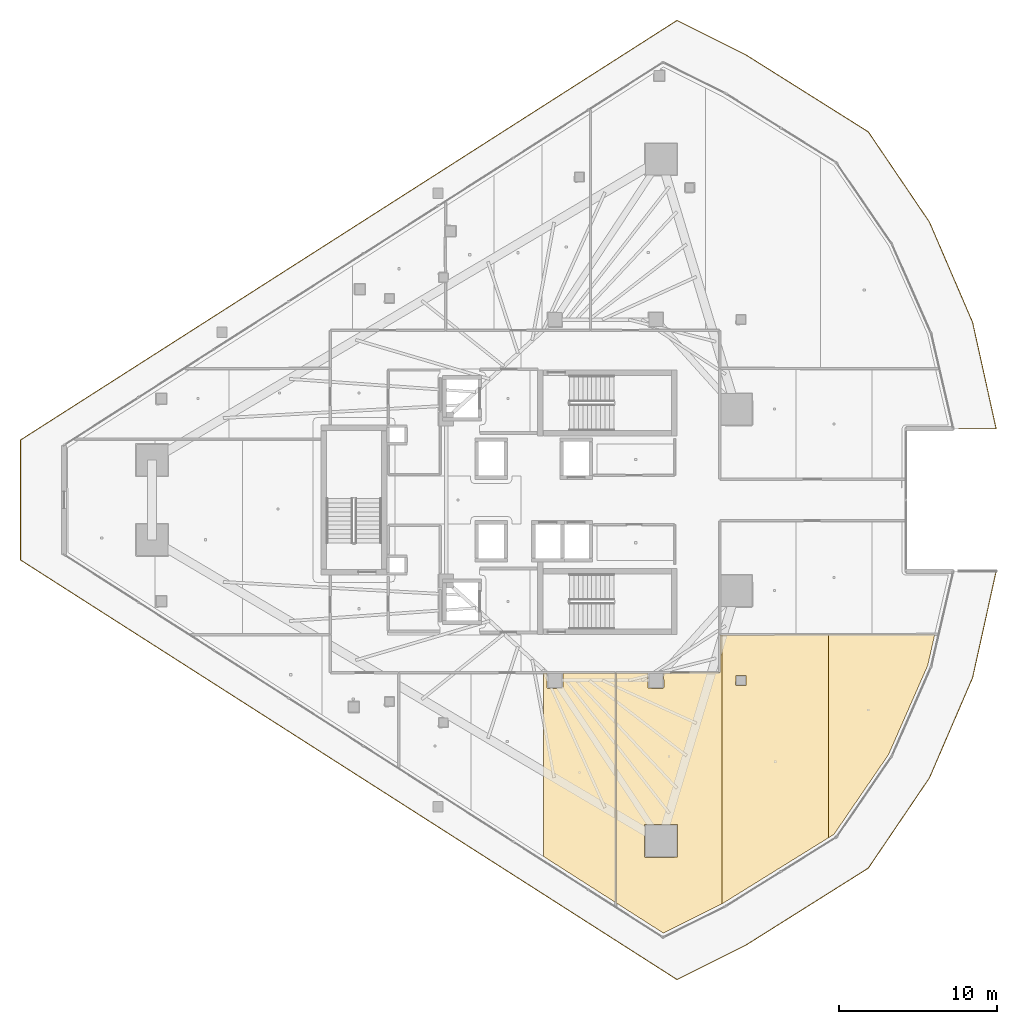
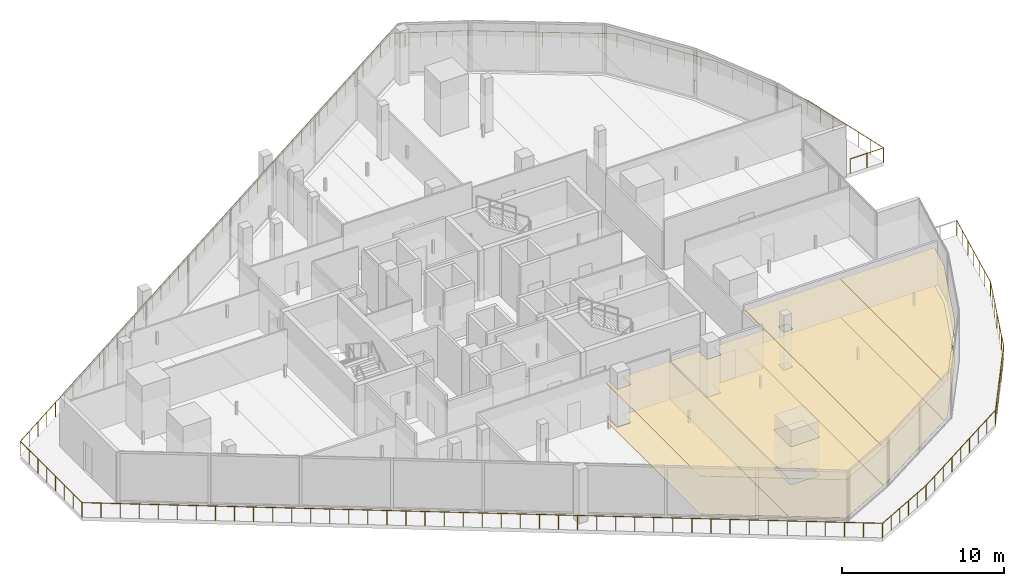
# One storey, part 33 of 36: 8 coverings, 1 railing.
"""IFC4 building model written with IfcOpenShell, lengths in metres."""

from ifc_helpers import new_model, si_unit, direction, frame, origin, origin_2d, place, context, subcontext, project, spatial, polyline, circle, outline, extrude, material, layer, layer_set, type_object, element, save


model = new_model("IFC4")

# Units and contexts
model_context = context("Model", 3, precision=1e-05, world=origin(), true_north=direction((0.0, 1.0)))
body_context = subcontext(model_context, "Body", "Model", "MODEL_VIEW")
ifc_project = project(units=[si_unit("LENGTHUNIT", "METRE"), si_unit("AREAUNIT", "SQUARE_METRE"), si_unit("VOLUMEUNIT", "CUBIC_METRE"), si_unit("PLANEANGLEUNIT", "RADIAN"), si_unit("MASSUNIT", "GRAM", prefix="KILO")], contexts=[model_context])

# Site, building, storey
site_placement = place(None, origin())
site = spatial("IfcSite", under=ifc_project, at=site_placement, CompositionType="ELEMENT")
building_placement = place(site_placement, origin())
building = spatial("IfcBuilding", under=site, at=building_placement, Name="Qorvath Tower", CompositionType="ELEMENT")
storey_placement = place(building_placement, frame((0.0, 0.0, 205.050048828125)))
storey = spatial("IfcBuildingStorey", under=building, at=storey_placement, Name="L47", CompositionType="ELEMENT", Elevation=205.050048828125)

# Coverings
ifc_material_1 = material(Name="Acoustic mineral fibre ceiling tile", Category="gypsum")
ifc_layer_1 = layer(ifc_material_1, 0.030029296875)
ifc_layer_set_1 = layer_set([ifc_layer_1], Name="COV-CEIL")
covering_type_1 = type_object("IfcCoveringType", Name="COV-CEIL", PredefinedType="CEILING", material=ifc_layer_set_1)
covering_1_placement = place(storey_placement, frame((0.0, 0.0, 2.849853515625)))
element("IfcCovering", 1, at=covering_1_placement, inside=storey, type_object=covering_type_1, Name="L47 Suspended Acoustic Ceiling 022", PredefinedType="CEILING", context=body_context, shape_type="SweptSolid", body=[
    extrude(outline(polyline([(-24.340087890625, -10.962890625), (-24.340087890625, -22.61279296875), (-19.75732421875, -25.5419921875), (-19.75732421875, -10.962890625), (-23.105224609375, -10.962890625), (-23.107666015625, -11.9423828125), (-24.050048828125, -11.9599609375), (-24.110107421875, -11.89990234375), (-24.0947265625, -10.962890625), (-24.340087890625, -10.962890625)])), origin(), (0.0, 0.0, 1.0), 0.030029296875),
])
covering_2_placement = place(storey_placement, frame((0.0, 0.0, 2.849853515625)))
element("IfcCovering", 2, at=covering_2_placement, inside=storey, type_object=covering_type_1, Name="L47 Suspended Acoustic Ceiling 023", PredefinedType="CEILING", context=body_context, shape_type="SweptSolid", body=[
    extrude(outline(polyline([(-17.694580078125, -10.962890625), (-19.7392578125, -10.962890625), (-19.7392578125, -25.553466796875), (-16.7275390625, -27.478271484375), (-12.99365234375, -25.611328125), (-12.99365234375, -8.554931640625), (-13.136962890625, -8.554931640625), (-13.138427734375, -10.96142578125), (-16.705322265625, -10.962890625), (-16.68994140625, -11.89990234375), (-16.75, -11.9599609375), (-17.6923828125, -11.9423828125), (-17.694580078125, -10.962890625)]), holes=[polyline([(-17.931640625, -22.627197265625), (-17.9140625, -20.584716796875), (-15.829345703125, -20.584716796875), (-15.829345703125, -22.66943359375), (-17.87158203125, -22.68701171875), (-17.931640625, -22.627197265625)])]), origin(), (0.0, 0.0, 1.0), 0.030029296875),
])
covering_3_placement = place(storey_placement, frame((0.0, 0.0, 2.849853515625)))
element("IfcCovering", 3, at=covering_3_placement, inside=storey, type_object=covering_type_1, Name="L47 Suspended Acoustic Ceiling 024", PredefinedType="CEILING", context=body_context, shape_type="SweptSolid", body=[
    extrude(outline(polyline([(-12.99365234375, -8.554931640625), (-12.99365234375, -25.611328125), (-12.900390625, -25.564697265625), (-6.247802734375, -21.436767578125), (-6.247802734375, -8.54736328125), (-12.99365234375, -8.554931640625)]), holes=[polyline([(-12.135009765625, -11.72509765625), (-12.117431640625, -11.132568359375), (-11.482666015625, -11.132568359375), (-11.482666015625, -11.767333984375), (-12.074951171875, -11.784912109375), (-12.135009765625, -11.72509765625)])]), origin(), (0.0, 0.0, 1.0), 0.030029296875),
])
covering_4_placement = place(storey_placement, frame((0.0, 0.0, 2.849853515625)))
element("IfcCovering", 4, at=covering_4_placement, inside=storey, type_object=covering_type_1, Name="L47 Suspended Acoustic Ceiling 025", PredefinedType="CEILING", context=body_context, shape_type="SweptSolid", body=[
    extrude(outline(polyline([(-6.247802734375, -8.54736328125), (-6.247802734375, -21.436767578125), (-5.896240234375, -21.218505859375), (-2.42919921875, -16.149169921875), (0.0537109375, -10.499267578125), (0.497802734375, -8.539794921875), (-6.247802734375, -8.54736328125)])), origin(), (0.0, 0.0, 1.0), 0.030029296875),
])
ifc_material_2 = material(Name="Low-VOC modular carpet tile", Category="textile")
ifc_layer_2 = layer(ifc_material_2, 0.014892578125)
ifc_layer_set_2 = layer_set([ifc_layer_2], Name="COV-FLOOR-CPT")
covering_type_2 = type_object("IfcCoveringType", Name="COV-FLOOR-CPT", PredefinedType="FLOORING", material=ifc_layer_set_2)
covering_5_placement = place(storey_placement, origin())
element("IfcCovering", 5, at=covering_5_placement, inside=storey, type_object=covering_type_2, Name="L47 Floor Finish 022", PredefinedType="FLOORING", context=body_context, shape_type="SweptSolid", body=[
    extrude(outline(polyline([(-24.340087890625, -10.962890625), (-24.340087890625, -22.61279296875), (-19.75732421875, -25.5419921875), (-19.75732421875, -10.962890625), (-23.105224609375, -10.962890625), (-23.107666015625, -11.9423828125), (-24.050048828125, -11.9599609375), (-24.110107421875, -11.89990234375), (-24.0947265625, -10.962890625), (-24.340087890625, -10.962890625)])), origin(), (0.0, 0.0, 1.0), 0.014892578125),
])
covering_6_placement = place(storey_placement, origin())
element("IfcCovering", 6, at=covering_6_placement, inside=storey, type_object=covering_type_2, Name="L47 Floor Finish 023", PredefinedType="FLOORING", context=body_context, shape_type="SweptSolid", body=[
    extrude(outline(polyline([(-17.694580078125, -10.962890625), (-19.7392578125, -10.962890625), (-19.7392578125, -25.553466796875), (-16.7275390625, -27.478271484375), (-12.99365234375, -25.611328125), (-12.99365234375, -8.554931640625), (-13.136962890625, -8.554931640625), (-13.138427734375, -10.96142578125), (-16.705322265625, -10.962890625), (-16.68994140625, -11.89990234375), (-16.75, -11.9599609375), (-17.6923828125, -11.9423828125), (-17.694580078125, -10.962890625)]), holes=[polyline([(-17.931640625, -22.627197265625), (-17.9140625, -20.584716796875), (-15.829345703125, -20.584716796875), (-15.829345703125, -22.66943359375), (-17.87158203125, -22.68701171875), (-17.931640625, -22.627197265625)])]), origin(), (0.0, 0.0, 1.0), 0.014892578125),
])
covering_7_placement = place(storey_placement, origin())
element("IfcCovering", 7, at=covering_7_placement, inside=storey, type_object=covering_type_2, Name="L47 Floor Finish 024", PredefinedType="FLOORING", context=body_context, shape_type="SweptSolid", body=[
    extrude(outline(polyline([(-12.99365234375, -8.554931640625), (-12.99365234375, -25.611328125), (-12.900390625, -25.564697265625), (-6.247802734375, -21.436767578125), (-6.247802734375, -8.54736328125), (-12.99365234375, -8.554931640625)]), holes=[polyline([(-12.135009765625, -11.72509765625), (-12.117431640625, -11.132568359375), (-11.482666015625, -11.132568359375), (-11.482666015625, -11.767333984375), (-12.074951171875, -11.784912109375), (-12.135009765625, -11.72509765625)])]), origin(), (0.0, 0.0, 1.0), 0.014892578125),
])
covering_8_placement = place(storey_placement, origin())
element("IfcCovering", 8, at=covering_8_placement, inside=storey, type_object=covering_type_2, Name="L47 Floor Finish 025", PredefinedType="FLOORING", context=body_context, shape_type="SweptSolid", body=[
    extrude(outline(polyline([(-6.247802734375, -8.54736328125), (-6.247802734375, -21.436767578125), (-5.896240234375, -21.218505859375), (-2.42919921875, -16.149169921875), (0.0537109375, -10.499267578125), (0.497802734375, -8.539794921875), (-6.247802734375, -8.54736328125)])), origin(), (0.0, 0.0, 1.0), 0.014892578125),
])

# Railing
ifc_material_3 = material(Name="Laminated safety glass and stainless steel AISI 316", Category="steel")
railing_type = type_object("IfcRailingType", Name="RL-EXT-GRD", PredefinedType="GUARDRAIL", material=ifc_material_3)
railing_placement = place(storey_placement, frame((4.400390625, -4.519775390625, 0.0)))
element("IfcRailing", 9, at=railing_placement, inside=storey, type_object=railing_type, Name="Loggia Perimeter Guardrail L47-1.1", PredefinedType="GUARDRAIL", context=body_context, shape_type="SweptSolid", body=[
    extrude(circle(Radius=0.02392578125, at=origin_2d()), frame((0.0, 0.0, 1.09619140625), z_axis=(-0.216086299344, -0.976374268012, 0.0), x_axis=(0.976374268012, -0.216086299344, 0.0)), (0.0, 0.0, 1.0), 6.92138671875),
    extrude(circle(Radius=0.02392578125, at=origin_2d()), frame((-1.49560546875, -6.7578125, 1.09619140625), z_axis=(-0.395493893873, -0.918468605838, 0.0), x_axis=(0.918468605838, -0.395493893873, 0.0)), (0.0, 0.0, 1.0), 6.921142578125),
    extrude(circle(Radius=0.02392578125, at=origin_2d()), frame((-4.23291015625, -13.11474609375, 1.09619140625), z_axis=(-0.560814607135, -0.827941408811, 0.0), x_axis=(0.827941408811, -0.560814607135, 0.0)), (0.0, 0.0, 1.0), 6.92138671875),
    extrude(circle(Radius=0.02392578125, at=origin_2d()), frame((-8.114501953125, -18.84521484375, 1.09619140625), z_axis=(-0.846504714784, -0.53238122417, 0.0), x_axis=(0.53238122417, -0.846504714784, 0.0)), (0.0, 0.0, 1.0), 9.203857421875),
    extrude(circle(Radius=0.02392578125, at=origin_2d()), frame((-15.905517578125, -23.7451171875, 1.09619140625), z_axis=(-0.89441714735, -0.447233682236, 0.0), x_axis=(0.447233682236, -0.89441714735, 0.0)), (0.0, 0.0, 1.0), 4.86181640625),
    extrude(circle(Radius=0.02392578125, at=origin_2d()), frame((-20.25390625, -25.91943359375, 1.09619140625), z_axis=(-0.84260492013, 0.538532216839, 0.0), x_axis=(-0.538532216839, -0.84260492013, 0.0)), (0.0, 0.0, 1.0), 49.457275390625),
    extrude(circle(Radius=0.02392578125, at=origin_2d()), frame((-61.9267578125, 0.71484375, 1.09619140625), z_axis=(0.0, 1.0, 0.0), x_axis=(-1.0, 0.0, 0.0)), (0.0, 0.0, 1.0), 7.60986328125),
    extrude(circle(Radius=0.02392578125, at=origin_2d()), frame((-61.9267578125, 8.32470703125, 1.09619140625), z_axis=(0.84260492013, 0.538532216839, 0.0), x_axis=(-0.538532216839, 0.84260492013, 0.0)), (0.0, 0.0, 1.0), 49.457275390625),
    extrude(circle(Radius=0.02392578125, at=origin_2d()), frame((-20.25390625, 34.958984375, 1.09619140625), z_axis=(0.89441714735, -0.447233682236, 0.0), x_axis=(0.447233682236, 0.89441714735, 0.0)), (0.0, 0.0, 1.0), 4.86181640625),
    extrude(circle(Radius=0.02392578125, at=origin_2d()), frame((-15.905517578125, 32.78466796875, 1.09619140625), z_axis=(0.846504714784, -0.53238122417, 0.0), x_axis=(0.53238122417, 0.846504714784, 0.0)), (0.0, 0.0, 1.0), 9.203857421875),
    extrude(circle(Radius=0.02392578125, at=origin_2d()), frame((-8.114501953125, 27.884765625, 1.09619140625), z_axis=(0.560814607135, -0.827941408811, 0.0), x_axis=(0.827941408811, 0.560814607135, 0.0)), (0.0, 0.0, 1.0), 6.92138671875),
    extrude(circle(Radius=0.02392578125, at=origin_2d()), frame((-4.23291015625, 22.154296875, 1.09619140625), z_axis=(0.395493893873, -0.918468605838, 0.0), x_axis=(0.918468605838, 0.395493893873, 0.0)), (0.0, 0.0, 1.0), 6.921142578125),
    extrude(circle(Radius=0.02392578125, at=origin_2d()), frame((-1.49560546875, 15.79736328125, 1.09619140625), z_axis=(0.216086299344, -0.976374268012, 0.0), x_axis=(0.976374268012, 0.216086299344, 0.0)), (0.0, 0.0, 1.0), 6.92138671875),
    extrude(circle(Radius=0.02392578125, at=origin_2d()), frame((0.0, 9.03955078125, 1.09619140625), z_axis=(-1.0, 0.0, 0.0), x_axis=(0.0, -1.0, 0.0)), (0.0, 0.0, 1.0), 2.36669921875),
    extrude(circle(Radius=0.02099609375, at=origin_2d()), origin(), (0.0, 0.0, 1.0), 1.072021484375),
    extrude(circle(Radius=0.02099609375, at=origin_2d()), frame((-0.249267578125, -1.126220703125, 0.0)), (0.0, 0.0, 1.0), 1.072021484375),
    extrude(circle(Radius=0.02099609375, at=origin_2d()), frame((-0.49853515625, -2.252685546875, 0.0)), (0.0, 0.0, 1.0), 1.072021484375),
    extrude(circle(Radius=0.02099609375, at=origin_2d()), frame((-0.747802734375, -3.37890625, 0.0)), (0.0, 0.0, 1.0), 1.072021484375),
    extrude(circle(Radius=0.02099609375, at=origin_2d()), frame((-0.9970703125, -4.505126953125, 0.0)), (0.0, 0.0, 1.0), 1.072021484375),
    extrude(circle(Radius=0.02099609375, at=origin_2d()), frame((-1.246337890625, -5.631591796875, 0.0)), (0.0, 0.0, 1.0), 1.072021484375),
    extrude(circle(Radius=0.02099609375, at=origin_2d()), frame((-1.49560546875, -6.7578125, 0.0)), (0.0, 0.0, 1.0), 1.072021484375),
    extrude(circle(Radius=0.02099609375, at=origin_2d()), frame((-1.951904296875, -7.8173828125, 0.0)), (0.0, 0.0, 1.0), 1.072021484375),
    extrude(circle(Radius=0.02099609375, at=origin_2d()), frame((-2.407958984375, -8.876708984375, 0.0)), (0.0, 0.0, 1.0), 1.072021484375),
    extrude(circle(Radius=0.02099609375, at=origin_2d()), frame((-2.8642578125, -9.936279296875, 0.0)), (0.0, 0.0, 1.0), 1.072021484375),
    extrude(circle(Radius=0.02099609375, at=origin_2d()), frame((-3.320556640625, -10.995849609375, 0.0)), (0.0, 0.0, 1.0), 1.072021484375),
    extrude(circle(Radius=0.02099609375, at=origin_2d()), frame((-3.776611328125, -12.05517578125, 0.0)), (0.0, 0.0, 1.0), 1.072021484375),
    extrude(circle(Radius=0.02099609375, at=origin_2d()), frame((-4.23291015625, -13.11474609375, 0.0)), (0.0, 0.0, 1.0), 1.072021484375),
    extrude(circle(Radius=0.02099609375, at=origin_2d()), frame((-4.8798828125, -14.06982421875, 0.0)), (0.0, 0.0, 1.0), 1.072021484375),
    extrude(circle(Radius=0.02099609375, at=origin_2d()), frame((-5.52685546875, -15.02490234375, 0.0)), (0.0, 0.0, 1.0), 1.072021484375),
    extrude(circle(Radius=0.02099609375, at=origin_2d()), frame((-6.173828125, -15.97998046875, 0.0)), (0.0, 0.0, 1.0), 1.072021484375),
    extrude(circle(Radius=0.02099609375, at=origin_2d()), frame((-6.820556640625, -16.93505859375, 0.0)), (0.0, 0.0, 1.0), 1.072021484375),
    extrude(circle(Radius=0.02099609375, at=origin_2d()), frame((-7.467529296875, -17.89013671875, 0.0)), (0.0, 0.0, 1.0), 1.072021484375),
    extrude(circle(Radius=0.02099609375, at=origin_2d()), frame((-8.114501953125, -18.84521484375, 0.0)), (0.0, 0.0, 1.0), 1.072021484375),
    extrude(circle(Radius=0.02099609375, at=origin_2d()), frame((-9.08837890625, -19.457763671875, 0.0)), (0.0, 0.0, 1.0), 1.072021484375),
    extrude(circle(Radius=0.02099609375, at=origin_2d()), frame((-10.062255859375, -20.0703125, 0.0)), (0.0, 0.0, 1.0), 1.072021484375),
    extrude(circle(Radius=0.02099609375, at=origin_2d()), frame((-11.0361328125, -20.6826171875, 0.0)), (0.0, 0.0, 1.0), 1.072021484375),
    extrude(circle(Radius=0.02099609375, at=origin_2d()), frame((-12.010009765625, -21.295166015625, 0.0)), (0.0, 0.0, 1.0), 1.072021484375),
    extrude(circle(Radius=0.02099609375, at=origin_2d()), frame((-12.98388671875, -21.90771484375, 0.0)), (0.0, 0.0, 1.0), 1.072021484375),
    extrude(circle(Radius=0.02099609375, at=origin_2d()), frame((-13.957763671875, -22.52001953125, 0.0)), (0.0, 0.0, 1.0), 1.072021484375),
    extrude(circle(Radius=0.02099609375, at=origin_2d()), frame((-14.931640625, -23.132568359375, 0.0)), (0.0, 0.0, 1.0), 1.072021484375),
    extrude(circle(Radius=0.02099609375, at=origin_2d()), frame((-15.905517578125, -23.7451171875, 0.0)), (0.0, 0.0, 1.0), 1.072021484375),
    extrude(circle(Radius=0.02099609375, at=origin_2d()), frame((-16.775146484375, -24.179931640625, 0.0)), (0.0, 0.0, 1.0), 1.072021484375),
    extrude(circle(Radius=0.02099609375, at=origin_2d()), frame((-17.644775390625, -24.61474609375, 0.0)), (0.0, 0.0, 1.0), 1.072021484375),
    extrude(circle(Radius=0.02099609375, at=origin_2d()), frame((-18.5146484375, -25.0498046875, 0.0)), (0.0, 0.0, 1.0), 1.072021484375),
    extrude(circle(Radius=0.02099609375, at=origin_2d()), frame((-19.38427734375, -25.484619140625, 0.0)), (0.0, 0.0, 1.0), 1.072021484375),
    extrude(circle(Radius=0.02099609375, at=origin_2d()), frame((-20.25390625, -25.91943359375, 0.0)), (0.0, 0.0, 1.0), 1.072021484375),
    extrude(circle(Radius=0.02099609375, at=origin_2d()), frame((-21.24609375, -25.285400390625, 0.0)), (0.0, 0.0, 1.0), 1.072021484375),
    extrude(circle(Radius=0.02099609375, at=origin_2d()), frame((-22.23828125, -24.651123046875, 0.0)), (0.0, 0.0, 1.0), 1.072021484375),
    extrude(circle(Radius=0.02099609375, at=origin_2d()), frame((-23.23046875, -24.01708984375, 0.0)), (0.0, 0.0, 1.0), 1.072021484375),
    extrude(circle(Radius=0.02099609375, at=origin_2d()), frame((-24.22265625, -23.3828125, 0.0)), (0.0, 0.0, 1.0), 1.072021484375),
    extrude(circle(Radius=0.02099609375, at=origin_2d()), frame((-25.21484375, -22.748779296875, 0.0)), (0.0, 0.0, 1.0), 1.072021484375),
    extrude(circle(Radius=0.02099609375, at=origin_2d()), frame((-26.207275390625, -22.114501953125, 0.0)), (0.0, 0.0, 1.0), 1.072021484375),
    extrude(circle(Radius=0.02099609375, at=origin_2d()), frame((-27.199462890625, -21.48046875, 0.0)), (0.0, 0.0, 1.0), 1.072021484375),
    extrude(circle(Radius=0.02099609375, at=origin_2d()), frame((-28.191650390625, -20.84619140625, 0.0)), (0.0, 0.0, 1.0), 1.072021484375),
    extrude(circle(Radius=0.02099609375, at=origin_2d()), frame((-29.183837890625, -20.212158203125, 0.0)), (0.0, 0.0, 1.0), 1.072021484375),
    extrude(circle(Radius=0.02099609375, at=origin_2d()), frame((-30.176025390625, -19.577880859375, 0.0)), (0.0, 0.0, 1.0), 1.072021484375),
    extrude(circle(Radius=0.02099609375, at=origin_2d()), frame((-31.168212890625, -18.94384765625, 0.0)), (0.0, 0.0, 1.0), 1.072021484375),
    extrude(circle(Radius=0.02099609375, at=origin_2d()), frame((-32.160400390625, -18.3095703125, 0.0)), (0.0, 0.0, 1.0), 1.072021484375),
    extrude(circle(Radius=0.02099609375, at=origin_2d()), frame((-33.152587890625, -17.675537109375, 0.0)), (0.0, 0.0, 1.0), 1.072021484375),
    extrude(circle(Radius=0.02099609375, at=origin_2d()), frame((-34.144775390625, -17.041259765625, 0.0)), (0.0, 0.0, 1.0), 1.072021484375),
    extrude(circle(Radius=0.02099609375, at=origin_2d()), frame((-35.136962890625, -16.4072265625, 0.0)), (0.0, 0.0, 1.0), 1.072021484375),
    extrude(circle(Radius=0.02099609375, at=origin_2d()), frame((-36.12939453125, -15.77294921875, 0.0)), (0.0, 0.0, 1.0), 1.072021484375),
    extrude(circle(Radius=0.02099609375, at=origin_2d()), frame((-37.12158203125, -15.138916015625, 0.0)), (0.0, 0.0, 1.0), 1.072021484375),
    extrude(circle(Radius=0.02099609375, at=origin_2d()), frame((-38.11376953125, -14.504638671875, 0.0)), (0.0, 0.0, 1.0), 1.072021484375),
    extrude(circle(Radius=0.02099609375, at=origin_2d()), frame((-39.10595703125, -13.87060546875, 0.0)), (0.0, 0.0, 1.0), 1.072021484375),
    extrude(circle(Radius=0.02099609375, at=origin_2d()), frame((-40.09814453125, -13.236328125, 0.0)), (0.0, 0.0, 1.0), 1.072021484375),
    extrude(circle(Radius=0.02099609375, at=origin_2d()), frame((-41.09033203125, -12.602294921875, 0.0)), (0.0, 0.0, 1.0), 1.072021484375),
    extrude(circle(Radius=0.02099609375, at=origin_2d()), frame((-42.08251953125, -11.96826171875, 0.0)), (0.0, 0.0, 1.0), 1.072021484375),
    extrude(circle(Radius=0.02099609375, at=origin_2d()), frame((-43.07470703125, -11.333984375, 0.0)), (0.0, 0.0, 1.0), 1.072021484375),
    extrude(circle(Radius=0.02099609375, at=origin_2d()), frame((-44.06689453125, -10.699951171875, 0.0)), (0.0, 0.0, 1.0), 1.072021484375),
    extrude(circle(Radius=0.02099609375, at=origin_2d()), frame((-45.05908203125, -10.065673828125, 0.0)), (0.0, 0.0, 1.0), 1.072021484375),
    extrude(circle(Radius=0.02099609375, at=origin_2d()), frame((-46.05126953125, -9.431640625, 0.0)), (0.0, 0.0, 1.0), 1.072021484375),
    extrude(circle(Radius=0.02099609375, at=origin_2d()), frame((-47.043701171875, -8.79736328125, 0.0)), (0.0, 0.0, 1.0), 1.072021484375),
    extrude(circle(Radius=0.02099609375, at=origin_2d()), frame((-48.035888671875, -8.163330078125, 0.0)), (0.0, 0.0, 1.0), 1.072021484375),
    extrude(circle(Radius=0.02099609375, at=origin_2d()), frame((-49.028076171875, -7.529052734375, 0.0)), (0.0, 0.0, 1.0), 1.072021484375),
    extrude(circle(Radius=0.02099609375, at=origin_2d()), frame((-50.020263671875, -6.89501953125, 0.0)), (0.0, 0.0, 1.0), 1.072021484375),
    extrude(circle(Radius=0.02099609375, at=origin_2d()), frame((-51.012451171875, -6.2607421875, 0.0)), (0.0, 0.0, 1.0), 1.072021484375),
    extrude(circle(Radius=0.02099609375, at=origin_2d()), frame((-52.004638671875, -5.626708984375, 0.0)), (0.0, 0.0, 1.0), 1.072021484375),
    extrude(circle(Radius=0.02099609375, at=origin_2d()), frame((-52.996826171875, -4.992431640625, 0.0)), (0.0, 0.0, 1.0), 1.072021484375),
    extrude(circle(Radius=0.02099609375, at=origin_2d()), frame((-53.989013671875, -4.3583984375, 0.0)), (0.0, 0.0, 1.0), 1.072021484375),
    extrude(circle(Radius=0.02099609375, at=origin_2d()), frame((-54.981201171875, -3.72412109375, 0.0)), (0.0, 0.0, 1.0), 1.072021484375),
    extrude(circle(Radius=0.02099609375, at=origin_2d()), frame((-55.973388671875, -3.090087890625, 0.0)), (0.0, 0.0, 1.0), 1.072021484375),
    extrude(circle(Radius=0.02099609375, at=origin_2d()), frame((-56.9658203125, -2.455810546875, 0.0)), (0.0, 0.0, 1.0), 1.072021484375),
    extrude(circle(Radius=0.02099609375, at=origin_2d()), frame((-57.9580078125, -1.82177734375, 0.0)), (0.0, 0.0, 1.0), 1.072021484375),
    extrude(circle(Radius=0.02099609375, at=origin_2d()), frame((-58.9501953125, -1.1875, 0.0)), (0.0, 0.0, 1.0), 1.072021484375),
    extrude(circle(Radius=0.02099609375, at=origin_2d()), frame((-59.9423828125, -0.553466796875, 0.0)), (0.0, 0.0, 1.0), 1.072021484375),
    extrude(circle(Radius=0.02099609375, at=origin_2d()), frame((-60.9345703125, 0.080810546875, 0.0)), (0.0, 0.0, 1.0), 1.072021484375),
    extrude(circle(Radius=0.02099609375, at=origin_2d()), frame((-61.9267578125, 0.71484375, 0.0)), (0.0, 0.0, 1.0), 1.072021484375),
    extrude(circle(Radius=0.02099609375, at=origin_2d()), frame((-61.9267578125, 1.802001953125, 0.0)), (0.0, 0.0, 1.0), 1.072021484375),
    extrude(circle(Radius=0.02099609375, at=origin_2d()), frame((-61.9267578125, 2.88916015625, 0.0)), (0.0, 0.0, 1.0), 1.072021484375),
    extrude(circle(Radius=0.02099609375, at=origin_2d()), frame((-61.9267578125, 3.976318359375, 0.0)), (0.0, 0.0, 1.0), 1.072021484375),
    extrude(circle(Radius=0.02099609375, at=origin_2d()), frame((-61.9267578125, 5.063232421875, 0.0)), (0.0, 0.0, 1.0), 1.072021484375),
    extrude(circle(Radius=0.02099609375, at=origin_2d()), frame((-61.9267578125, 6.150390625, 0.0)), (0.0, 0.0, 1.0), 1.072021484375),
    extrude(circle(Radius=0.02099609375, at=origin_2d()), frame((-61.9267578125, 7.237548828125, 0.0)), (0.0, 0.0, 1.0), 1.072021484375),
    extrude(circle(Radius=0.02099609375, at=origin_2d()), frame((-61.9267578125, 8.32470703125, 0.0)), (0.0, 0.0, 1.0), 1.072021484375),
    extrude(circle(Radius=0.02099609375, at=origin_2d()), frame((-60.9345703125, 8.958740234375, 0.0)), (0.0, 0.0, 1.0), 1.072021484375),
    extrude(circle(Radius=0.02099609375, at=origin_2d()), frame((-59.9423828125, 9.593017578125, 0.0)), (0.0, 0.0, 1.0), 1.072021484375),
    extrude(circle(Radius=0.02099609375, at=origin_2d()), frame((-58.9501953125, 10.22705078125, 0.0)), (0.0, 0.0, 1.0), 1.072021484375),
    extrude(circle(Radius=0.02099609375, at=origin_2d()), frame((-57.9580078125, 10.861328125, 0.0)), (0.0, 0.0, 1.0), 1.072021484375),
    extrude(circle(Radius=0.02099609375, at=origin_2d()), frame((-56.9658203125, 11.495361328125, 0.0)), (0.0, 0.0, 1.0), 1.072021484375),
    extrude(circle(Radius=0.02099609375, at=origin_2d()), frame((-55.973388671875, 12.129638671875, 0.0)), (0.0, 0.0, 1.0), 1.072021484375),
    extrude(circle(Radius=0.02099609375, at=origin_2d()), frame((-54.981201171875, 12.763671875, 0.0)), (0.0, 0.0, 1.0), 1.072021484375),
    extrude(circle(Radius=0.02099609375, at=origin_2d()), frame((-53.989013671875, 13.39794921875, 0.0)), (0.0, 0.0, 1.0), 1.072021484375),
    extrude(circle(Radius=0.02099609375, at=origin_2d()), frame((-52.996826171875, 14.031982421875, 0.0)), (0.0, 0.0, 1.0), 1.072021484375),
    extrude(circle(Radius=0.02099609375, at=origin_2d()), frame((-52.004638671875, 14.666259765625, 0.0)), (0.0, 0.0, 1.0), 1.072021484375),
    extrude(circle(Radius=0.02099609375, at=origin_2d()), frame((-51.012451171875, 15.30029296875, 0.0)), (0.0, 0.0, 1.0), 1.072021484375),
    extrude(circle(Radius=0.02099609375, at=origin_2d()), frame((-50.020263671875, 15.9345703125, 0.0)), (0.0, 0.0, 1.0), 1.072021484375),
    extrude(circle(Radius=0.02099609375, at=origin_2d()), frame((-49.028076171875, 16.568603515625, 0.0)), (0.0, 0.0, 1.0), 1.072021484375),
    extrude(circle(Radius=0.02099609375, at=origin_2d()), frame((-48.035888671875, 17.202880859375, 0.0)), (0.0, 0.0, 1.0), 1.072021484375),
    extrude(circle(Radius=0.02099609375, at=origin_2d()), frame((-47.043701171875, 17.8369140625, 0.0)), (0.0, 0.0, 1.0), 1.072021484375),
    extrude(circle(Radius=0.02099609375, at=origin_2d()), frame((-46.05126953125, 18.47119140625, 0.0)), (0.0, 0.0, 1.0), 1.072021484375),
    extrude(circle(Radius=0.02099609375, at=origin_2d()), frame((-45.05908203125, 19.105224609375, 0.0)), (0.0, 0.0, 1.0), 1.072021484375),
    extrude(circle(Radius=0.02099609375, at=origin_2d()), frame((-44.06689453125, 19.739501953125, 0.0)), (0.0, 0.0, 1.0), 1.072021484375),
    extrude(circle(Radius=0.02099609375, at=origin_2d()), frame((-43.07470703125, 20.37353515625, 0.0)), (0.0, 0.0, 1.0), 1.072021484375),
    extrude(circle(Radius=0.02099609375, at=origin_2d()), frame((-42.08251953125, 21.0078125, 0.0)), (0.0, 0.0, 1.0), 1.072021484375),
    extrude(circle(Radius=0.02099609375, at=origin_2d()), frame((-41.09033203125, 21.641845703125, 0.0)), (0.0, 0.0, 1.0), 1.072021484375),
    extrude(circle(Radius=0.02099609375, at=origin_2d()), frame((-40.09814453125, 22.27587890625, 0.0)), (0.0, 0.0, 1.0), 1.072021484375),
    extrude(circle(Radius=0.02099609375, at=origin_2d()), frame((-39.10595703125, 22.91015625, 0.0)), (0.0, 0.0, 1.0), 1.072021484375),
    extrude(circle(Radius=0.02099609375, at=origin_2d()), frame((-38.11376953125, 23.544189453125, 0.0)), (0.0, 0.0, 1.0), 1.072021484375),
    extrude(circle(Radius=0.02099609375, at=origin_2d()), frame((-37.12158203125, 24.178466796875, 0.0)), (0.0, 0.0, 1.0), 1.072021484375),
    extrude(circle(Radius=0.02099609375, at=origin_2d()), frame((-36.12939453125, 24.8125, 0.0)), (0.0, 0.0, 1.0), 1.072021484375),
    extrude(circle(Radius=0.02099609375, at=origin_2d()), frame((-35.136962890625, 25.44677734375, 0.0)), (0.0, 0.0, 1.0), 1.072021484375),
    extrude(circle(Radius=0.02099609375, at=origin_2d()), frame((-34.144775390625, 26.080810546875, 0.0)), (0.0, 0.0, 1.0), 1.072021484375),
    extrude(circle(Radius=0.02099609375, at=origin_2d()), frame((-33.152587890625, 26.715087890625, 0.0)), (0.0, 0.0, 1.0), 1.072021484375),
    extrude(circle(Radius=0.02099609375, at=origin_2d()), frame((-32.160400390625, 27.34912109375, 0.0)), (0.0, 0.0, 1.0), 1.072021484375),
    extrude(circle(Radius=0.02099609375, at=origin_2d()), frame((-31.168212890625, 27.9833984375, 0.0)), (0.0, 0.0, 1.0), 1.072021484375),
    extrude(circle(Radius=0.02099609375, at=origin_2d()), frame((-30.176025390625, 28.617431640625, 0.0)), (0.0, 0.0, 1.0), 1.072021484375),
    extrude(circle(Radius=0.02099609375, at=origin_2d()), frame((-29.183837890625, 29.251708984375, 0.0)), (0.0, 0.0, 1.0), 1.072021484375),
    extrude(circle(Radius=0.02099609375, at=origin_2d()), frame((-28.191650390625, 29.8857421875, 0.0)), (0.0, 0.0, 1.0), 1.072021484375),
    extrude(circle(Radius=0.02099609375, at=origin_2d()), frame((-27.199462890625, 30.52001953125, 0.0)), (0.0, 0.0, 1.0), 1.072021484375),
    extrude(circle(Radius=0.02099609375, at=origin_2d()), frame((-26.207275390625, 31.154052734375, 0.0)), (0.0, 0.0, 1.0), 1.072021484375),
    extrude(circle(Radius=0.02099609375, at=origin_2d()), frame((-25.21484375, 31.788330078125, 0.0)), (0.0, 0.0, 1.0), 1.072021484375),
    extrude(circle(Radius=0.02099609375, at=origin_2d()), frame((-24.22265625, 32.42236328125, 0.0)), (0.0, 0.0, 1.0), 1.072021484375),
    extrude(circle(Radius=0.02099609375, at=origin_2d()), frame((-23.23046875, 33.056640625, 0.0)), (0.0, 0.0, 1.0), 1.072021484375),
    extrude(circle(Radius=0.02099609375, at=origin_2d()), frame((-22.23828125, 33.690673828125, 0.0)), (0.0, 0.0, 1.0), 1.072021484375),
    extrude(circle(Radius=0.02099609375, at=origin_2d()), frame((-21.24609375, 34.324951171875, 0.0)), (0.0, 0.0, 1.0), 1.072021484375),
    extrude(circle(Radius=0.02099609375, at=origin_2d()), frame((-20.25390625, 34.958984375, 0.0)), (0.0, 0.0, 1.0), 1.072021484375),
    extrude(circle(Radius=0.02099609375, at=origin_2d()), frame((-19.38427734375, 34.524169921875, 0.0)), (0.0, 0.0, 1.0), 1.072021484375),
    extrude(circle(Radius=0.02099609375, at=origin_2d()), frame((-18.5146484375, 34.08935546875, 0.0)), (0.0, 0.0, 1.0), 1.072021484375),
    extrude(circle(Radius=0.02099609375, at=origin_2d()), frame((-17.644775390625, 33.654296875, 0.0)), (0.0, 0.0, 1.0), 1.072021484375),
    extrude(circle(Radius=0.02099609375, at=origin_2d()), frame((-16.775146484375, 33.219482421875, 0.0)), (0.0, 0.0, 1.0), 1.072021484375),
    extrude(circle(Radius=0.02099609375, at=origin_2d()), frame((-15.905517578125, 32.78466796875, 0.0)), (0.0, 0.0, 1.0), 1.072021484375),
    extrude(circle(Radius=0.02099609375, at=origin_2d()), frame((-14.931640625, 32.172119140625, 0.0)), (0.0, 0.0, 1.0), 1.072021484375),
    extrude(circle(Radius=0.02099609375, at=origin_2d()), frame((-13.957763671875, 31.5595703125, 0.0)), (0.0, 0.0, 1.0), 1.072021484375),
    extrude(circle(Radius=0.02099609375, at=origin_2d()), frame((-12.98388671875, 30.947265625, 0.0)), (0.0, 0.0, 1.0), 1.072021484375),
    extrude(circle(Radius=0.02099609375, at=origin_2d()), frame((-12.010009765625, 30.334716796875, 0.0)), (0.0, 0.0, 1.0), 1.072021484375),
    extrude(circle(Radius=0.02099609375, at=origin_2d()), frame((-11.0361328125, 29.72216796875, 0.0)), (0.0, 0.0, 1.0), 1.072021484375),
    extrude(circle(Radius=0.02099609375, at=origin_2d()), frame((-10.062255859375, 29.10986328125, 0.0)), (0.0, 0.0, 1.0), 1.072021484375),
    extrude(circle(Radius=0.02099609375, at=origin_2d()), frame((-9.08837890625, 28.497314453125, 0.0)), (0.0, 0.0, 1.0), 1.072021484375),
    extrude(circle(Radius=0.02099609375, at=origin_2d()), frame((-8.114501953125, 27.884765625, 0.0)), (0.0, 0.0, 1.0), 1.072021484375),
    extrude(circle(Radius=0.02099609375, at=origin_2d()), frame((-7.467529296875, 26.9296875, 0.0)), (0.0, 0.0, 1.0), 1.072021484375),
    extrude(circle(Radius=0.02099609375, at=origin_2d()), frame((-6.820556640625, 25.974609375, 0.0)), (0.0, 0.0, 1.0), 1.072021484375),
    extrude(circle(Radius=0.02099609375, at=origin_2d()), frame((-6.173828125, 25.01953125, 0.0)), (0.0, 0.0, 1.0), 1.072021484375),
    extrude(circle(Radius=0.02099609375, at=origin_2d()), frame((-5.52685546875, 24.064453125, 0.0)), (0.0, 0.0, 1.0), 1.072021484375),
    extrude(circle(Radius=0.02099609375, at=origin_2d()), frame((-4.8798828125, 23.109375, 0.0)), (0.0, 0.0, 1.0), 1.072021484375),
    extrude(circle(Radius=0.02099609375, at=origin_2d()), frame((-4.23291015625, 22.154296875, 0.0)), (0.0, 0.0, 1.0), 1.072021484375),
    extrude(circle(Radius=0.02099609375, at=origin_2d()), frame((-3.776611328125, 21.0947265625, 0.0)), (0.0, 0.0, 1.0), 1.072021484375),
    extrude(circle(Radius=0.02099609375, at=origin_2d()), frame((-3.320556640625, 20.035400390625, 0.0)), (0.0, 0.0, 1.0), 1.072021484375),
    extrude(circle(Radius=0.02099609375, at=origin_2d()), frame((-2.8642578125, 18.975830078125, 0.0)), (0.0, 0.0, 1.0), 1.072021484375),
    extrude(circle(Radius=0.02099609375, at=origin_2d()), frame((-2.407958984375, 17.916259765625, 0.0)), (0.0, 0.0, 1.0), 1.072021484375),
    extrude(circle(Radius=0.02099609375, at=origin_2d()), frame((-1.951904296875, 16.85693359375, 0.0)), (0.0, 0.0, 1.0), 1.072021484375),
    extrude(circle(Radius=0.02099609375, at=origin_2d()), frame((-1.49560546875, 15.79736328125, 0.0)), (0.0, 0.0, 1.0), 1.072021484375),
    extrude(circle(Radius=0.02099609375, at=origin_2d()), frame((-1.246337890625, 14.671142578125, 0.0)), (0.0, 0.0, 1.0), 1.072021484375),
    extrude(circle(Radius=0.02099609375, at=origin_2d()), frame((-0.9970703125, 13.544677734375, 0.0)), (0.0, 0.0, 1.0), 1.072021484375),
    extrude(circle(Radius=0.02099609375, at=origin_2d()), frame((-0.747802734375, 12.41845703125, 0.0)), (0.0, 0.0, 1.0), 1.072021484375),
    extrude(circle(Radius=0.02099609375, at=origin_2d()), frame((-0.49853515625, 11.292236328125, 0.0)), (0.0, 0.0, 1.0), 1.072021484375),
    extrude(circle(Radius=0.02099609375, at=origin_2d()), frame((-0.249267578125, 10.165771484375, 0.0)), (0.0, 0.0, 1.0), 1.072021484375),
    extrude(circle(Radius=0.02099609375, at=origin_2d()), frame((0.0, 9.03955078125, 0.0)), (0.0, 0.0, 1.0), 1.072021484375),
    extrude(circle(Radius=0.02099609375, at=origin_2d()), frame((-1.183349609375, 9.03955078125, 0.0)), (0.0, 0.0, 1.0), 1.072021484375),
    extrude(circle(Radius=0.02099609375, at=origin_2d()), frame((-2.36669921875, 9.03955078125, 0.0)), (0.0, 0.0, 1.0), 1.072021484375),
])

save(model, "model.ifc")
